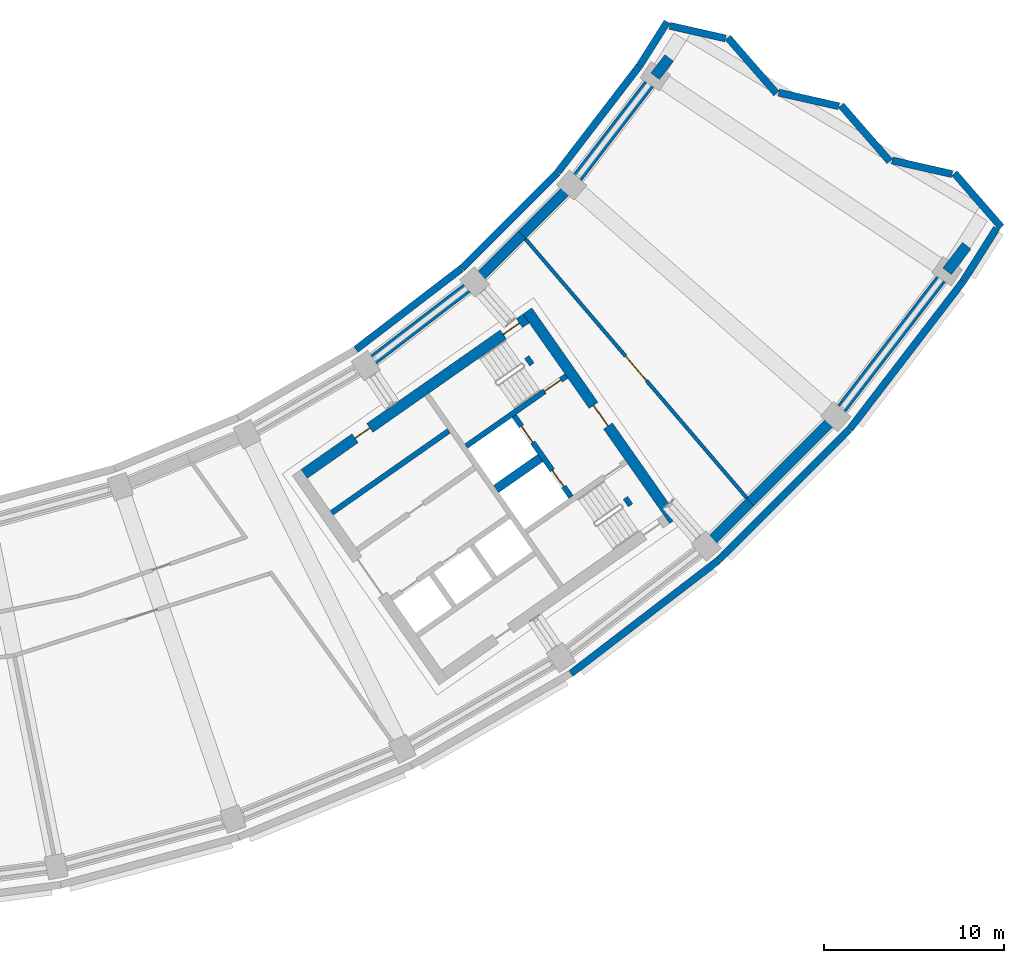
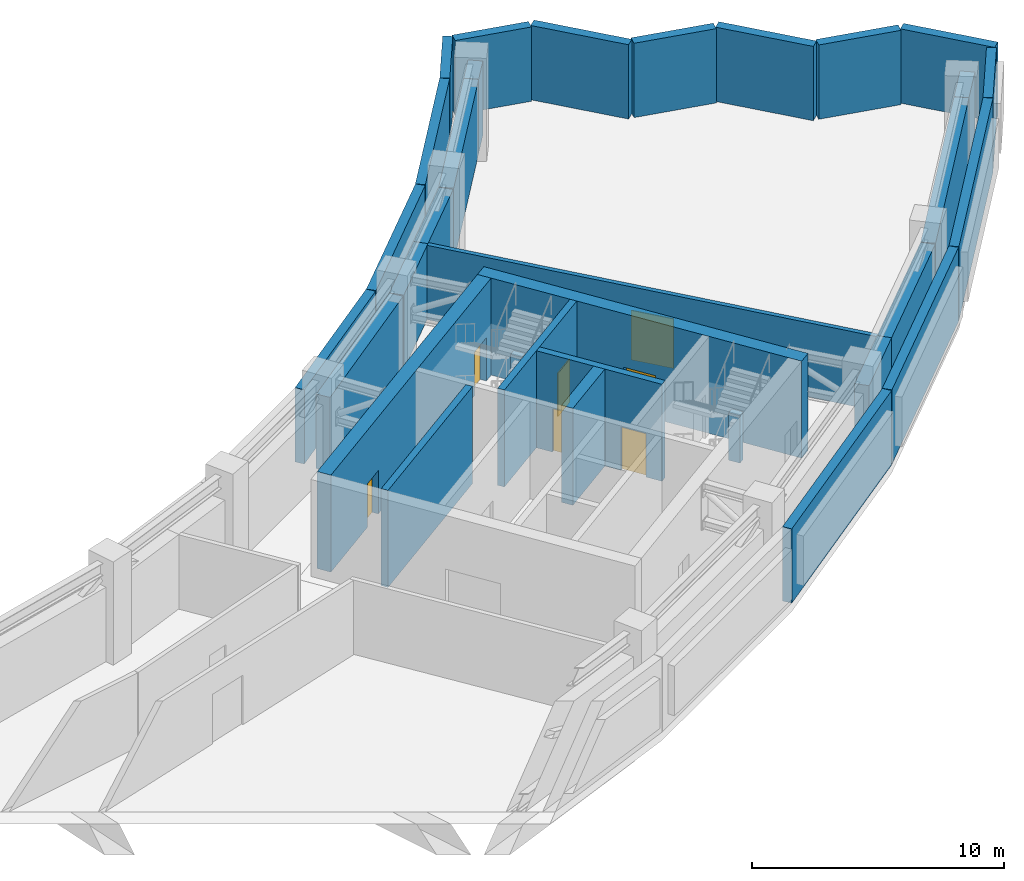
# One storey, part 8 of 24: 32 walls, 7 doors, 7 openings.
"""IFC4 building model written with IfcOpenShell, lengths in metres."""

from ifc_helpers import new_model, si_unit, direction, frame, frame_2d, origin, place, context, subcontext, project, spatial, rectangle, extrude, material, layer, layer_set, type_object, element, fill, save


model = new_model("IFC4")

# Units and contexts
model_context = context("Model", 3, precision=1e-05, world=origin(), true_north=direction((0.0, 1.0)))
body_context = subcontext(model_context, "Body", "Model", "MODEL_VIEW")
ifc_project = project(units=[si_unit("LENGTHUNIT", "METRE"), si_unit("AREAUNIT", "SQUARE_METRE"), si_unit("VOLUMEUNIT", "CUBIC_METRE"), si_unit("PLANEANGLEUNIT", "RADIAN"), si_unit("MASSUNIT", "GRAM", prefix="KILO")], contexts=[model_context])

# Site, building, storey
site_placement = place(None, origin())
site = spatial("IfcSite", under=ifc_project, at=site_placement, CompositionType="ELEMENT")
building_placement = place(site_placement, origin())
building = spatial("IfcBuilding", under=site, at=building_placement, Name="Qamariyya Broadcast Tower", CompositionType="ELEMENT")
storey_placement = place(building_placement, frame((0.0, 0.0, 198.699951171875)))
storey = spatial("IfcBuildingStorey", under=building, at=storey_placement, Name="L47", CompositionType="ELEMENT", Elevation=198.699951171875)

# Wall, opening, door
ifc_material_1 = material(Name="Concrete C60/75", Category="concrete")
ifc_layer_1 = layer(ifc_material_1, 0.60009765625)
ifc_layer_set_1 = layer_set([ifc_layer_1], Name="Core wall 600 mm Concrete C60/75")
wall_type_1 = type_object("IfcWallType", Name="Core wall 600 mm Concrete C60/75", PredefinedType="SHEAR", material=ifc_layer_set_1)
wall_1_placement = place(storey_placement, frame((49.4833984375, -57.031494140625, 0.0), z_axis=(0.0, 0.0, 1.0), x_axis=(-0.573560421458, 0.819163257805, 0.0)))
wall_1 = element("IfcWall", 1, at=wall_1_placement, inside=storey, type_object=wall_type_1, Name="k-E-L47-WH", PredefinedType="SHEAR", context=body_context, shape_type="SweptSolid", body=[
    extrude(rectangle(XDim=14.199951171875, YDim=0.60009765625, at=frame_2d((7.10009765625, 0.0))), origin(), (0.0, 0.0, 1.0), 4.699951171875),
])
opening_1_placement = place(wall_1_placement, frame((6.39990234375, 0.0, 0.0)))
opening_1 = element("IfcOpeningElement", 2, at=opening_1_placement, cuts=wall_1, Name="Opening KD2-E1", PredefinedType="OPENING", context=body_context, shape_type="SweptSolid", body=[
    extrude(rectangle(XDim=1.39990234375, YDim=2.10009765625, at=frame_2d((0.699951171875, 1.050048828125))), frame((0.0, 0.31005859375, 0.0), z_axis=(0.0, -1.0, 0.0), x_axis=(1.0, 0.0, 0.0)), (0.0, 0.0, 1.0), 0.6201171875),
])
ifc_material_2 = material(Name="Steel fire-resisting door leaf", Category="steel")
door_type_1 = type_object("IfcDoorType", Name="Fire-fighting lobby door KD2", OperationType="DOUBLE_DOOR_SINGLE_SWING", PredefinedType="DOOR", material=ifc_material_2)
door_1_placement = place(opening_1_placement, origin())
door_1 = element("IfcDoor", 3, at=door_1_placement, inside=storey, type_object=door_type_1, Name="k-E-L47-WH-D9", OperationType="DOUBLE_DOOR_SINGLE_SWING", OverallHeight=2.10009765625, OverallWidth=1.39990234375, PredefinedType="DOOR", context=body_context, shape_type="SweptSolid", body=[
    extrude(rectangle(XDim=1.39990234375, YDim=2.10009765625, at=frame_2d((0.699951171875, 1.050048828125))), frame((0.0, 0.02490234375, 0.0), z_axis=(0.0, -1.0, 0.0), x_axis=(1.0, 0.0, 0.0)), (0.0, 0.0, 1.0), 0.050048828125),
])
fill(opening_1, door_1)

# Wall, openings, doors
wall_2_placement = place(storey_placement, frame((28.940673828125, -54.447021484375, 0.0), z_axis=(0.0, 0.0, 1.0), x_axis=(0.819153391756, 0.573574511963, 0.0)))
wall_2 = element("IfcWall", 4, at=wall_2_placement, inside=storey, type_object=wall_type_1, Name="k-E-L47-WI", PredefinedType="SHEAR", context=body_context, shape_type="SweptSolid", body=[
    extrude(rectangle(XDim=15.04541015625, YDim=0.60009765625, at=frame_2d((7.522705078125, 0.0))), origin(), (0.0, 0.0, 1.0), 4.699951171875),
])
opening_2_placement = place(wall_2_placement, frame((3.449951171875, 0.0, 0.0)))
opening_2 = element("IfcOpeningElement", 5, at=opening_2_placement, cuts=wall_2, Name="Opening KD4-E2", PredefinedType="OPENING", context=body_context, shape_type="SweptSolid", body=[
    extrude(rectangle(XDim=1.0, YDim=2.10009765625, at=frame_2d((0.5, 1.050048828125))), frame((0.0, 0.31005859375, 0.0), z_axis=(0.0, -1.0, 0.0), x_axis=(1.0, 0.0, 0.0)), (0.0, 0.0, 1.0), 0.6201171875),
])
opening_3_placement = place(wall_2_placement, frame((13.495361328125, 0.0, 0.0)))
opening_3 = element("IfcOpeningElement", 6, at=opening_3_placement, cuts=wall_2, Name="Opening KD1-E1", PredefinedType="OPENING", context=body_context, shape_type="SweptSolid", body=[
    extrude(rectangle(XDim=1.10009765625, YDim=2.10009765625, at=frame_2d((0.550048828125, 1.050048828125))), frame((0.0, 0.31005859375, 0.0), z_axis=(0.0, -1.0, 0.0), x_axis=(1.0, 0.0, 0.0)), (0.0, 0.0, 1.0), 0.6201171875),
])
door_type_2 = type_object("IfcDoorType", Name="Riser and plant door KD4", OperationType="SINGLE_SWING_LEFT", PredefinedType="DOOR", material=ifc_material_2)
door_2_placement = place(opening_2_placement, origin())
door_2 = element("IfcDoor", 7, at=door_2_placement, inside=storey, type_object=door_type_2, Name="k-E-L47-WI-D5", OperationType="SINGLE_SWING_LEFT", OverallHeight=2.10009765625, OverallWidth=1.0, PredefinedType="DOOR", context=body_context, shape_type="SweptSolid", body=[
    extrude(rectangle(XDim=1.0, YDim=2.10009765625, at=frame_2d((0.5, 1.050048828125))), frame((0.0, 0.02490234375, 0.0), z_axis=(0.0, -1.0, 0.0), x_axis=(1.0, 0.0, 0.0)), (0.0, 0.0, 1.0), 0.050048828125),
])
fill(opening_2, door_2)
door_type_3 = type_object("IfcDoorType", Name="Stair door KD1", OperationType="SINGLE_SWING_LEFT", PredefinedType="DOOR", material=ifc_material_2)
door_3_placement = place(opening_3_placement, origin())
door_3 = element("IfcDoor", 8, at=door_3_placement, inside=storey, type_object=door_type_3, Name="k-E-L47-WI-D10", OperationType="SINGLE_SWING_RIGHT", OverallHeight=2.10009765625, OverallWidth=1.10009765625, PredefinedType="DOOR", context=body_context, shape_type="SweptSolid", body=[
    extrude(rectangle(XDim=1.10009765625, YDim=2.10009765625, at=frame_2d((0.550048828125, 1.050048828125))), frame((0.0, 0.02490234375, 0.0), z_axis=(0.0, -1.0, 0.0), x_axis=(1.0, 0.0, 0.0)), (0.0, 0.0, 1.0), 0.050048828125),
])
fill(opening_3, door_3)

# Walls
ifc_layer_2 = layer(ifc_material_1, 0.5)
ifc_layer_set_2 = layer_set([ifc_layer_2], Name="Fire-fighting lobby divider wall 500 mm Concrete C60/75")
wall_type_2 = type_object("IfcWallType", Name="Fire-fighting lobby divider wall 500 mm Concrete C60/75", PredefinedType="SOLIDWALL", material=ifc_layer_set_2)
wall_3_placement = place(storey_placement, frame((39.59912109375, -55.28515625, 0.0), z_axis=(0.0, 0.0, 1.0), x_axis=(0.819136323161, 0.573598887793, 0.0)))
element("IfcWall", 9, at=wall_3_placement, inside=storey, type_object=wall_type_2, Name="k-E-L47-FD", PredefinedType="SOLIDWALL", context=body_context, shape_type="SweptSolid", body=[
    extrude(rectangle(XDim=2.999755859375, YDim=0.5, at=frame_2d((1.5, 0.0))), origin(), (0.0, 0.0, 1.0), 4.699951171875),
])
ifc_layer_3 = layer(ifc_material_1, 0.300048828125)
ifc_layer_set_3 = layer_set([ifc_layer_3], Name="Lift shaft wall 300 mm Concrete C60/75")
wall_type_3 = type_object("IfcWallType", Name="Lift shaft wall 300 mm Concrete C60/75", PredefinedType="SOLIDWALL", material=ifc_layer_set_3)
wall_4_placement = place(storey_placement, frame((30.460693359375, -56.61767578125, 0.0), z_axis=(0.0, 0.0, 1.0), x_axis=(0.819142461705, 0.573590121456, 0.0)))
element("IfcWall", 10, at=wall_4_placement, inside=storey, type_object=wall_type_3, Name="k-E-L47-NB0", PredefinedType="SOLIDWALL", context=body_context, shape_type="SweptSolid", body=[
    extrude(rectangle(XDim=7.949951171875, YDim=0.300048828125, at=frame_2d((3.97509765625, 0.0))), origin(), (0.0, 0.0, 1.0), 4.699951171875),
])

# Wall, opening, door
wall_5_placement = place(storey_placement, frame((37.935546875, -52.90966796875, 0.0), z_axis=(0.0, 0.0, 1.0), x_axis=(0.819147518138, 0.57358290031, 0.0)))
wall_5 = element("IfcWall", 11, at=wall_5_placement, inside=storey, type_object=wall_type_3, Name="k-E-L47-NW", PredefinedType="SOLIDWALL", context=body_context, shape_type="SweptSolid", body=[
    extrude(rectangle(XDim=6.79541015625, YDim=0.300048828125, at=frame_2d((3.397705078125, 0.0))), origin(), (0.0, 0.0, 1.0), 4.699951171875),
])
opening_4_placement = place(wall_5_placement, frame((5.3203125, 0.0, 0.0)))
opening_4 = element("IfcOpeningElement", 12, at=opening_4_placement, cuts=wall_5, Name="Opening KD1-E2", PredefinedType="OPENING", context=body_context, shape_type="SweptSolid", body=[
    extrude(rectangle(XDim=1.10009765625, YDim=2.10009765625, at=frame_2d((0.550048828125, 1.050048828125))), frame((0.0, 0.159912109375, 0.0), z_axis=(0.0, -1.0, 0.0), x_axis=(1.0, 0.0, 0.0)), (0.0, 0.0, 1.0), 0.320068359375),
])
door_4_placement = place(opening_4_placement, origin())
door_4 = element("IfcDoor", 13, at=door_4_placement, inside=storey, type_object=door_type_3, Name="k-E-L47-NW-D11", OperationType="SINGLE_SWING_LEFT", OverallHeight=2.10009765625, OverallWidth=1.10009765625, PredefinedType="DOOR", context=body_context, shape_type="SweptSolid", body=[
    extrude(rectangle(XDim=1.10009765625, YDim=2.10009765625, at=frame_2d((0.550048828125, 1.050048828125))), frame((0.0, 0.02490234375, 0.0), z_axis=(0.0, -1.0, 0.0), x_axis=(1.0, 0.0, 0.0)), (0.0, 0.0, 1.0), 0.050048828125),
])
fill(opening_4, door_4)

# Wall, openings, doors
wall_6_placement = place(storey_placement, frame((43.756591796875, -55.731201171875, 0.0), z_axis=(0.0, 0.0, 1.0), x_axis=(-0.573536818435, 0.819179783625, 0.0)))
wall_6 = element("IfcWall", 14, at=wall_6_placement, inside=storey, type_object=wall_type_3, Name="k-E-L47-FF", PredefinedType="SOLIDWALL", context=body_context, shape_type="SweptSolid", body=[
    extrude(rectangle(XDim=5.500244140625, YDim=0.300048828125, at=frame_2d((2.75, 0.0))), origin(), (0.0, 0.0, 1.0), 4.699951171875),
])
opening_5_placement = place(wall_6_placement, frame((0.699951171875, 0.0, 0.0)))
opening_5 = element("IfcOpeningElement", 15, at=opening_5_placement, cuts=wall_6, Name="Opening LD", PredefinedType="OPENING", context=body_context, shape_type="SweptSolid", body=[
    extrude(rectangle(XDim=1.10009765625, YDim=2.10009765625, at=frame_2d((0.550048828125, 1.050048828125))), frame((0.0, 0.159912109375, 0.0), z_axis=(0.0, -1.0, 0.0), x_axis=(1.0, 0.0, 0.0)), (0.0, 0.0, 1.0), 0.320068359375),
])
opening_6_placement = place(wall_6_placement, frame((3.699951171875, 0.0, 0.0)))
opening_6 = element("IfcOpeningElement", 16, at=opening_6_placement, cuts=wall_6, Name="Opening LD", PredefinedType="OPENING", context=body_context, shape_type="SweptSolid", body=[
    extrude(rectangle(XDim=1.10009765625, YDim=2.10009765625, at=frame_2d((0.550048828125, 1.050048828125))), frame((0.0, 0.159912109375, 0.0), z_axis=(0.0, -1.0, 0.0), x_axis=(1.0, 0.0, 0.0)), (0.0, 0.0, 1.0), 0.320068359375),
])
door_type_4 = type_object("IfcDoorType", Name="Lift landing door LD", OperationType="DOUBLE_DOOR_SLIDING", PredefinedType="DOOR", material=ifc_material_2)
door_5_placement = place(opening_5_placement, origin())
door_5 = element("IfcDoor", 17, at=door_5_placement, inside=storey, type_object=door_type_4, Name="k-E-L47-FF-D7", OperationType="DOUBLE_DOOR_SLIDING", OverallHeight=2.10009765625, OverallWidth=1.10009765625, PredefinedType="DOOR", context=body_context, shape_type="SweptSolid", body=[
    extrude(rectangle(XDim=1.10009765625, YDim=2.10009765625, at=frame_2d((0.550048828125, 1.050048828125))), frame((0.0, 0.02490234375, 0.0), z_axis=(0.0, -1.0, 0.0), x_axis=(1.0, 0.0, 0.0)), (0.0, 0.0, 1.0), 0.050048828125),
])
fill(opening_5, door_5)
door_6_placement = place(opening_6_placement, origin())
door_6 = element("IfcDoor", 18, at=door_6_placement, inside=storey, type_object=door_type_4, Name="k-E-L47-FF-D8", OperationType="DOUBLE_DOOR_SLIDING", OverallHeight=2.10009765625, OverallWidth=1.10009765625, PredefinedType="DOOR", context=body_context, shape_type="SweptSolid", body=[
    extrude(rectangle(XDim=1.10009765625, YDim=2.10009765625, at=frame_2d((0.550048828125, 1.050048828125))), frame((0.0, 0.02490234375, 0.0), z_axis=(0.0, -1.0, 0.0), x_axis=(1.0, 0.0, 0.0)), (0.0, 0.0, 1.0), 0.050048828125),
])
fill(opening_6, door_6)

# Walls
wall_7_placement = place(storey_placement, frame((41.30029296875, -47.959716796875, 0.0), z_axis=(0.0, 0.0, 1.0), x_axis=(0.573495128918, -0.819208970354, 0.0)))
element("IfcWall", 19, at=wall_7_placement, inside=storey, type_object=wall_type_3, Name="k-E-L47-E2PR", PredefinedType="SOLIDWALL", context=body_context, shape_type="SweptSolid", body=[
    extrude(rectangle(XDim=0.499755859375, YDim=0.300048828125, at=frame_2d((0.25, 0.0))), origin(), (0.0, 0.0, 1.0), 2.300048828125),
])
wall_8_placement = place(storey_placement, frame((46.77783203125, -55.782470703125, 0.0), z_axis=(0.0, 0.0, 1.0), x_axis=(0.573822822947, -0.818979467304, 0.0)))
element("IfcWall", 20, at=wall_8_placement, inside=storey, type_object=wall_type_3, Name="k-E-L47-E1PR", PredefinedType="SOLIDWALL", context=body_context, shape_type="SweptSolid", body=[
    extrude(rectangle(XDim=0.5, YDim=0.300048828125, at=frame_2d((0.25, 0.0))), origin(), (0.0, 0.0, 1.0), 2.300048828125),
])

# Wall, opening, door
ifc_material_3 = material(Name="Masonry block wall", Category="masonry")
ifc_layer_4 = layer(ifc_material_3, 0.199951171875)
ifc_layer_set_4 = layer_set([ifc_layer_4], Name="Plant room wall 200 EI 120")
wall_type_4 = type_object("IfcWallType", Name="Plant room wall 200 EI 120", PredefinedType="PARTITIONING", material=ifc_layer_set_4)
wall_9_placement = place(storey_placement, frame((41.2265625, -41.39794921875, 0.0), z_axis=(0.0, 0.0, 1.0), x_axis=(0.64962900246, -0.760251378929, 0.0)))
wall_9 = element("IfcWall", 21, at=wall_9_placement, inside=storey, type_object=wall_type_4, Name="Partition L47-060", PredefinedType="PARTITIONING", context=body_context, shape_type="SweptSolid", body=[
    extrude(rectangle(XDim=18.918212890625, YDim=0.199951171875, at=frame_2d((9.458984375, 0.0))), origin(), (0.0, 0.0, 1.0), 3.60009765625),
])
opening_7_placement = place(wall_9_placement, frame((8.55908203125, 0.0, 0.0)))
opening_7 = element("IfcOpeningElement", 22, at=opening_7_placement, cuts=wall_9, Name="Opening L47-D12", PredefinedType="OPENING", context=body_context, shape_type="SweptSolid", body=[
    extrude(rectangle(XDim=1.800048828125, YDim=2.39990234375, at=frame_2d((0.89990234375, 1.199951171875))), frame((0.0, 0.10986328125, 0.0), z_axis=(0.0, -1.0, 0.0), x_axis=(1.0, 0.0, 0.0)), (0.0, 0.0, 1.0), 0.219970703125),
])
ifc_material_4 = material(Name="Insulated metal door leaf")
door_type_5 = type_object("IfcDoorType", Name="Plant double door 1800 x 2400 FD120", OperationType="NOTDEFINED", PredefinedType="DOOR", material=ifc_material_4)
door_7_placement = place(opening_7_placement, origin())
door_7 = element("IfcDoor", 23, at=door_7_placement, inside=storey, type_object=door_type_5, Name="Door L47-D12", OperationType="DOUBLE_DOOR_SINGLE_SWING", OverallHeight=2.39990234375, OverallWidth=1.800048828125, PredefinedType="DOOR", context=body_context, shape_type="SweptSolid", body=[
    extrude(rectangle(XDim=1.800048828125, YDim=2.39990234375, at=frame_2d((0.89990234375, 1.199951171875))), frame((0.0, 0.02490234375, 0.0), z_axis=(0.0, -1.0, 0.0), x_axis=(1.0, 0.0, 0.0)), (0.0, 0.0, 1.0), 0.050048828125),
])
fill(opening_7, door_7)

# Walls
ifc_material_5 = material(Name="Terracotta", Category="masonry")
ifc_layer_5 = layer(ifc_material_5, 0.39990234375)
ifc_layer_set_5 = layer_set([ifc_layer_5], Name="Terracotta clad plant wall 400")
wall_type_5 = type_object("IfcWallType", Name="Terracotta clad plant wall 400", PredefinedType="SOLIDWALL", material=ifc_layer_set_5)
wall_10_placement = place(storey_placement, frame((67.658203125, -40.740234375, 0.0), z_axis=(0.0, 0.0, 1.0), x_axis=(-0.656264128379, 0.754531241105, 0.0)))
element("IfcWall", 24, at=wall_10_placement, inside=storey, type_object=wall_type_5, Name="e-wl-L47-capE0", PredefinedType="SOLIDWALL", context=body_context, shape_type="SweptSolid", body=[
    extrude(rectangle(XDim=3.962646484375, YDim=0.39990234375, at=frame_2d((1.9814453125, 0.0))), origin(), (0.0, 0.0, 1.0), 3.60009765625),
])
wall_11_placement = place(storey_placement, frame((64.927001953125, -37.79345703125, 0.0), z_axis=(0.0, 0.0, 1.0), x_axis=(-0.975379112734, 0.220534773769, 0.0)))
element("IfcWall", 25, at=wall_11_placement, inside=storey, type_object=wall_type_5, Name="e-wl-L47-capE1", PredefinedType="SOLIDWALL", context=body_context, shape_type="SweptSolid", body=[
    extrude(rectangle(XDim=3.419677734375, YDim=0.39990234375, at=frame_2d((1.7099609375, 0.0))), origin(), (0.0, 0.0, 1.0), 3.60009765625),
])
wall_12_placement = place(storey_placement, frame((61.4609375, -37.08251953125, 0.0), z_axis=(0.0, 0.0, 1.0), x_axis=(-0.656314062784, 0.754487807054, 0.0)))
element("IfcWall", 26, at=wall_12_placement, inside=storey, type_object=wall_type_5, Name="e-wl-L47-capE2", PredefinedType="SOLIDWALL", context=body_context, shape_type="SweptSolid", body=[
    extrude(rectangle(XDim=4.108154296875, YDim=0.39990234375, at=frame_2d((2.05419921875, 0.0))), origin(), (0.0, 0.0, 1.0), 3.60009765625),
])
wall_13_placement = place(storey_placement, frame((58.634033203125, -34.026123046875, 0.0), z_axis=(0.0, 0.0, 1.0), x_axis=(-0.975395940272, 0.220460335892, 0.0)))
element("IfcWall", 27, at=wall_13_placement, inside=storey, type_object=wall_type_5, Name="e-wl-L47-capE3", PredefinedType="SOLIDWALL", context=body_context, shape_type="SweptSolid", body=[
    extrude(rectangle(XDim=3.418701171875, YDim=0.39990234375, at=frame_2d((1.70947265625, 0.0))), origin(), (0.0, 0.0, 1.0), 3.60009765625),
])
wall_14_placement = place(storey_placement, frame((55.1689453125, -33.315673828125, 0.0), z_axis=(0.0, 0.0, 1.0), x_axis=(-0.65639050238, 0.754421306953, 0.0)))
element("IfcWall", 28, at=wall_14_placement, inside=storey, type_object=wall_type_5, Name="e-wl-L47-capE4", PredefinedType="SOLIDWALL", context=body_context, shape_type="SweptSolid", body=[
    extrude(rectangle(XDim=4.109130859375, YDim=0.39990234375, at=frame_2d((2.0546875, 0.0))), origin(), (0.0, 0.0, 1.0), 3.60009765625),
])
wall_15_placement = place(storey_placement, frame((52.341064453125, -30.2587890625, 0.0), z_axis=(0.0, 0.0, 1.0), x_axis=(-0.975428204724, 0.220317537723, 0.0)))
element("IfcWall", 29, at=wall_15_placement, inside=storey, type_object=wall_type_5, Name="e-wl-L47-capE5", PredefinedType="SOLIDWALL", context=body_context, shape_type="SweptSolid", body=[
    extrude(rectangle(XDim=3.173583984375, YDim=0.39990234375, at=frame_2d((1.5869140625, 0.0))), origin(), (0.0, 0.0, 1.0), 3.60009765625),
])
wall_16_placement = place(storey_placement, frame((37.674560546875, -43.036376953125, 0.0), z_axis=(0.0, 0.0, 1.0), x_axis=(-0.79334647843, -0.608770371457, 0.0)))
element("IfcWall", 30, at=wall_16_placement, inside=storey, type_object=wall_type_5, Name="e-wl-L47-in120", PredefinedType="SOLIDWALL", context=body_context, shape_type="SweptSolid", body=[
    extrude(rectangle(XDim=7.380615234375, YDim=0.39990234375, at=frame_2d((3.6904296875, 0.0))), origin(), (0.0, 0.0, 1.0), 3.60009765625),
])
wall_17_placement = place(storey_placement, frame((43.023193359375, -37.697265625, 0.0), z_axis=(0.0, 0.0, 1.0), x_axis=(-0.707106781187, -0.707106781187, 0.0)))
element("IfcWall", 31, at=wall_17_placement, inside=storey, type_object=wall_type_5, Name="e-wl-L47-in130", PredefinedType="SOLIDWALL", context=body_context, shape_type="SweptSolid", body=[
    extrude(rectangle(XDim=7.531982421875, YDim=0.39990234375, at=frame_2d((3.76611328125, 0.0))), origin(), (0.0, 0.0, 1.0), 3.60009765625),
])
wall_18_placement = place(storey_placement, frame((47.534912109375, -31.81201171875, 0.0), z_axis=(0.0, 0.0, 1.0), x_axis=(-0.608765110442, -0.793350515415, 0.0)))
element("IfcWall", 32, at=wall_18_placement, inside=storey, type_object=wall_type_5, Name="e-wl-L47-in140", PredefinedType="SOLIDWALL", context=body_context, shape_type="SweptSolid", body=[
    extrude(rectangle(XDim=7.3896484375, YDim=0.39990234375, at=frame_2d((3.69482421875, 0.0))), origin(), (0.0, 0.0, 1.0), 3.60009765625),
])
wall_19_placement = place(storey_placement, frame((49.101318359375, -29.343505859375, 0.0), z_axis=(0.0, 0.0, 1.0), x_axis=(-0.534748237535, -0.845011433327, 0.0)))
element("IfcWall", 33, at=wall_19_placement, inside=storey, type_object=wall_type_5, Name="e-wl-L47-in150", PredefinedType="SOLIDWALL", context=body_context, shape_type="SweptSolid", body=[
    extrude(rectangle(XDim=2.906005859375, YDim=0.39990234375, at=frame_2d((1.453125, 0.0))), origin(), (0.0, 0.0, 1.0), 3.60009765625),
])
wall_20_placement = place(storey_placement, frame((43.7587890625, -65.53466796875, 0.0), z_axis=(0.0, 0.0, 1.0), x_axis=(0.793361215265, 0.608751166006, 0.0)))
element("IfcWall", 34, at=wall_20_placement, inside=storey, type_object=wall_type_5, Name="e-wl-L47-out120", PredefinedType="SOLIDWALL", context=body_context, shape_type="SweptSolid", body=[
    extrude(rectangle(XDim=10.357666015625, YDim=0.39990234375, at=frame_2d((5.1787109375, 0.0))), origin(), (0.0, 0.0, 1.0), 3.60009765625),
])
wall_21_placement = place(storey_placement, frame((51.991943359375, -59.208740234375, 0.0), z_axis=(0.0, 0.0, 1.0), x_axis=(0.707106781187, 0.707106781187, 0.0)))
element("IfcWall", 35, at=wall_21_placement, inside=storey, type_object=wall_type_5, Name="e-wl-L47-out130", PredefinedType="SOLIDWALL", context=body_context, shape_type="SweptSolid", body=[
    extrude(rectangle(XDim=10.2060546875, YDim=0.39990234375, at=frame_2d((5.10302734375, 0.0))), origin(), (0.0, 0.0, 1.0), 3.60009765625),
])
wall_22_placement = place(storey_placement, frame((59.2294921875, -51.97607421875, 0.0), z_axis=(0.0, 0.0, 1.0), x_axis=(0.608755645731, 0.793357777923, 0.0)))
element("IfcWall", 36, at=wall_22_placement, inside=storey, type_object=wall_type_5, Name="e-wl-L47-out140", PredefinedType="SOLIDWALL", context=body_context, shape_type="SweptSolid", body=[
    extrude(rectangle(XDim=10.356689453125, YDim=0.39990234375, at=frame_2d((5.17822265625, 0.0))), origin(), (0.0, 0.0, 1.0), 3.60009765625),
])
wall_23_placement = place(storey_placement, frame((65.542236328125, -43.743408203125, 0.0), z_axis=(0.0, 0.0, 1.0), x_axis=(0.534779828522, 0.844991440788, 0.0)))
element("IfcWall", 37, at=wall_23_placement, inside=storey, type_object=wall_type_5, Name="e-wl-L47-out150", PredefinedType="SOLIDWALL", context=body_context, shape_type="SweptSolid", body=[
    extrude(rectangle(XDim=3.477783203125, YDim=0.39990234375, at=frame_2d((1.73876953125, 0.0))), origin(), (0.0, 0.0, 1.0), 3.60009765625),
])
ifc_layer_6 = layer(ifc_material_3, 0.60009765625)
ifc_layer_set_6 = layer_set([ifc_layer_6], Name="Truss casing wall 600 EI 120")
wall_type_6 = type_object("IfcWallType", Name="Truss casing wall 600 EI 120", PredefinedType="PARTITIONING", material=ifc_layer_set_6)
wall_24_placement = place(storey_placement, frame((32.3798828125, -48.419189453125, 0.0), z_axis=(0.0, 0.0, 1.0), x_axis=(0.793356751967, 0.6087569828, 0.0)))
element("IfcWall", 38, at=wall_24_placement, inside=storey, type_object=wall_type_6, Name="Partition L47-056", PredefinedType="PARTITIONING", context=body_context, shape_type="SweptSolid", body=[
    extrude(rectangle(XDim=7.57421875, YDim=0.60009765625, at=frame_2d((3.787109375, 0.0))), origin(), (0.0, 0.0, 1.0), 3.60009765625),
])
wall_25_placement = place(storey_placement, frame((38.4228515625, -43.778564453125, 0.0), z_axis=(0.0, 0.0, 1.0), x_axis=(0.707106781187, 0.707106781187, 0.0)))
element("IfcWall", 39, at=wall_25_placement, inside=storey, type_object=wall_type_6, Name="Partition L47-058", PredefinedType="PARTITIONING", context=body_context, shape_type="SweptSolid", body=[
    extrude(rectangle(XDim=3.689208984375, YDim=0.60009765625, at=frame_2d((1.8447265625, 0.0))), origin(), (0.0, 0.0, 1.0), 3.60009765625),
])
wall_26_placement = place(storey_placement, frame((41.031494140625, -41.169921875, 0.0), z_axis=(0.0, 0.0, 1.0), x_axis=(0.707106781187, 0.707106781187, 0.0)))
element("IfcWall", 40, at=wall_26_placement, inside=storey, type_object=wall_type_6, Name="Partition L47-059", PredefinedType="PARTITIONING", context=body_context, shape_type="SweptSolid", body=[
    extrude(rectangle(XDim=3.885009765625, YDim=0.60009765625, at=frame_2d((1.9423828125, 0.0))), origin(), (0.0, 0.0, 1.0), 3.60009765625),
])
wall_27_placement = place(storey_placement, frame((43.808349609375, -38.388916015625, 0.0), z_axis=(0.0, 0.0, 1.0), x_axis=(0.608775025132, 0.793342907434, 0.0)))
element("IfcWall", 41, at=wall_27_placement, inside=storey, type_object=wall_type_6, Name="Partition L47-062", PredefinedType="PARTITIONING", context=body_context, shape_type="SweptSolid", body=[
    extrude(rectangle(XDim=7.593994140625, YDim=0.60009765625, at=frame_2d((3.796875, 0.0))), origin(), (0.0, 0.0, 1.0), 3.60009765625),
])
wall_28_placement = place(storey_placement, frame((48.434814453125, -32.359619140625, 0.0), z_axis=(0.0, 0.0, 1.0), x_axis=(0.608832773677, 0.793298590505, 0.0)))
element("IfcWall", 42, at=wall_28_placement, inside=storey, type_object=wall_type_6, Name="Partition L47-063", PredefinedType="PARTITIONING", context=body_context, shape_type="SweptSolid", body=[
    extrude(rectangle(XDim=1.277099609375, YDim=0.60009765625, at=frame_2d((0.638671875, 0.0))), origin(), (0.0, 0.0, 1.0), 3.60009765625),
])
wall_29_placement = place(storey_placement, frame((51.2802734375, -58.439453125, 0.0), z_axis=(0.0, 0.0, 1.0), x_axis=(0.707106781187, 0.707106781187, 0.0)))
element("IfcWall", 43, at=wall_29_placement, inside=storey, type_object=wall_type_6, Name="Partition L47-064", PredefinedType="PARTITIONING", context=body_context, shape_type="SweptSolid", body=[
    extrude(rectangle(XDim=3.437744140625, YDim=0.60009765625, at=frame_2d((1.71875, 0.0))), origin(), (0.0, 0.0, 1.0), 3.60009765625),
])
wall_30_placement = place(storey_placement, frame((53.711181640625, -56.008544921875, 0.0), z_axis=(0.0, 0.0, 1.0), x_axis=(0.707106781187, 0.707106781187, 0.0)))
element("IfcWall", 44, at=wall_30_placement, inside=storey, type_object=wall_type_6, Name="Partition L47-065", PredefinedType="PARTITIONING", context=body_context, shape_type="SweptSolid", body=[
    extrude(rectangle(XDim=6.686767578125, YDim=0.60009765625, at=frame_2d((3.34326171875, 0.0))), origin(), (0.0, 0.0, 1.0), 3.60009765625),
])
wall_31_placement = place(storey_placement, frame((58.46923828125, -51.24609375, 0.0), z_axis=(0.0, 0.0, 1.0), x_axis=(0.608777573681, 0.793340951787, 0.0)))
element("IfcWall", 45, at=wall_31_placement, inside=storey, type_object=wall_type_6, Name="Partition L47-066", PredefinedType="PARTITIONING", context=body_context, shape_type="SweptSolid", body=[
    extrude(rectangle(XDim=10.14453125, YDim=0.60009765625, at=frame_2d((5.072265625, 0.0))), origin(), (0.0, 0.0, 1.0), 3.60009765625),
])
wall_32_placement = place(storey_placement, frame((64.648681640625, -43.193115234375, 0.0), z_axis=(0.0, 0.0, 1.0), x_axis=(0.608714977596, 0.793388981554, 0.0)))
element("IfcWall", 46, at=wall_32_placement, inside=storey, type_object=wall_type_6, Name="Partition L47-067", PredefinedType="PARTITIONING", context=body_context, shape_type="SweptSolid", body=[
    extrude(rectangle(XDim=1.7900390625, YDim=0.60009765625, at=frame_2d((0.89501953125, 0.0))), origin(), (0.0, 0.0, 1.0), 3.60009765625),
])

save(model, "model.ifc")
